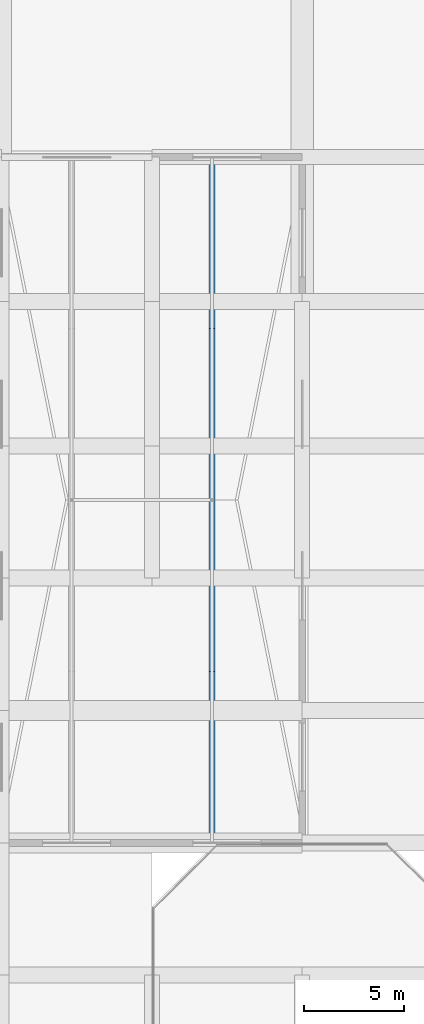
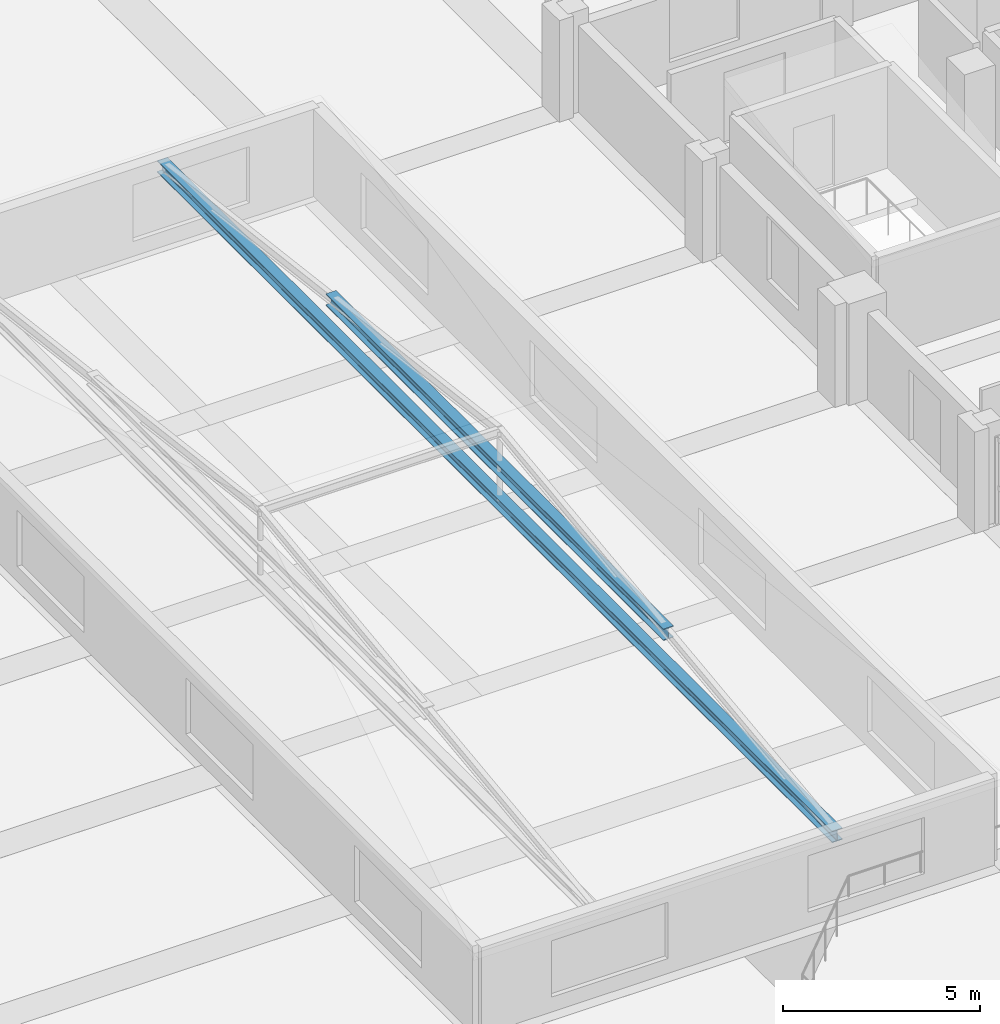
# One storey, part 6 of 49: 2 members.
"""IFC4 building model written with IfcOpenShell, lengths in metres."""

from ifc_helpers import new_model, si_unit, direction, frame, origin, origin_2d, place, context, subcontext, project, spatial, i_section, extrude, material, material_profile, profile_set, type_object, element, save


model = new_model("IFC4")

# Units and contexts
model_context = context("Model", 3, precision=1e-05, world=origin(), true_north=direction((0.0, 1.0)))
body_context = subcontext(model_context, "Body", "Model", "MODEL_VIEW")
ifc_project = project(units=[si_unit("LENGTHUNIT", "METRE"), si_unit("AREAUNIT", "SQUARE_METRE"), si_unit("VOLUMEUNIT", "CUBIC_METRE"), si_unit("PLANEANGLEUNIT", "RADIAN"), si_unit("MASSUNIT", "GRAM", prefix="KILO")], contexts=[model_context])

# Site, building, storey
site_placement = place(None, origin())
site = spatial("IfcSite", under=ifc_project, at=site_placement, CompositionType="ELEMENT")
building_placement = place(site_placement, origin())
building = spatial("IfcBuilding", under=site, at=building_placement, Name="Akrevak Sports Hall", CompositionType="ELEMENT")
storey_placement = place(building_placement, frame((0.0, 0.0, 24.14990234375)))
storey = spatial("IfcBuildingStorey", under=building, at=storey_placement, Name="L04", CompositionType="ELEMENT", Elevation=24.14990234375)

# Members
ifc_material = material(Name="Steel S355", Category="steel")
ifc_material_profile = material_profile(ifc_material, i_section(OverallWidth=0.300048828125, OverallDepth=0.360107421875, WebThickness=0.012451171875, FlangeThickness=0.0224609375, FilletRadius=0.027099609375, at=origin_2d()), Name="HEB 360", Category="steel")
ifc_profile_set = profile_set([ifc_material_profile], Name="Steel S355")
member_type = type_object("IfcMemberType", Name="STR-MEM-CHORD-HEB360", PredefinedType="CHORD", material=ifc_profile_set)
member_1_placement = place(storey_placement, frame((25.5, 43.949951171875, 3.465087890625), z_axis=(0.0, 1.0, 0.0), x_axis=(-1.0, 0.0, 0.0)))
element("IfcMember", 1, at=member_1_placement, inside=storey, type_object=member_type, Name="West Sports Hall Clerestory Monitor Roof Collar Tie Chord 2", PredefinedType="CHORD", context=body_context, shape_type="SweptSolid", body=[
    extrude(i_section(OverallWidth=0.300048828125, OverallDepth=0.360107421875, WebThickness=0.012451171875, FlangeThickness=0.0224609375, FilletRadius=0.027099609375, at=origin_2d()), origin(), (0.0, 0.0, 1.0), 17.10009765625),
])
member_2_placement = place(storey_placement, frame((25.5, 35.39990234375, 2.400146484375), z_axis=(0.0, 1.0, 0.0), x_axis=(-1.0, 0.0, 0.0)))
element("IfcMember", 2, at=member_2_placement, inside=storey, type_object=member_type, Name="West Sports Hall Clerestory Monitor Roof Bottom Tie Chord 2", PredefinedType="CHORD", context=body_context, shape_type="SweptSolid", body=[
    extrude(i_section(OverallWidth=0.300048828125, OverallDepth=0.360107421875, WebThickness=0.012451171875, FlangeThickness=0.0224609375, FilletRadius=0.027099609375, at=origin_2d()), origin(), (0.0, 0.0, 1.0), 34.2001953125),
])

save(model, "model.ifc")
